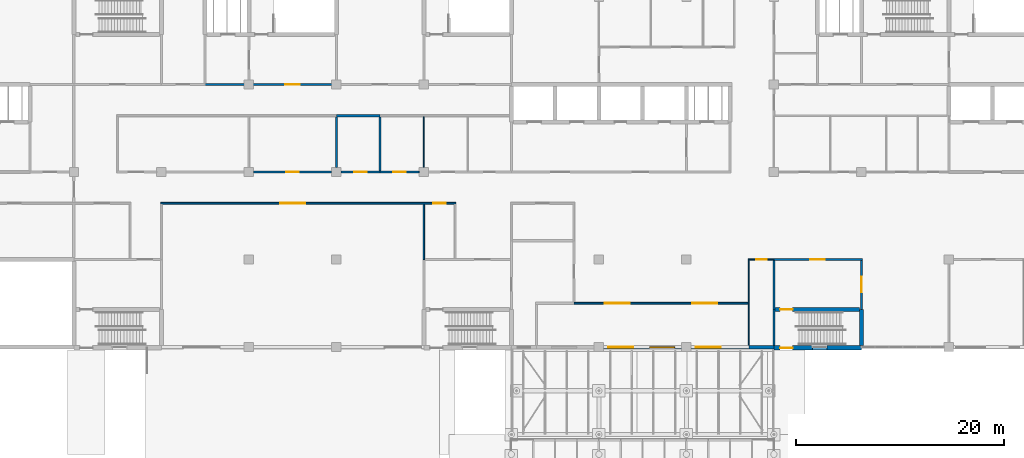
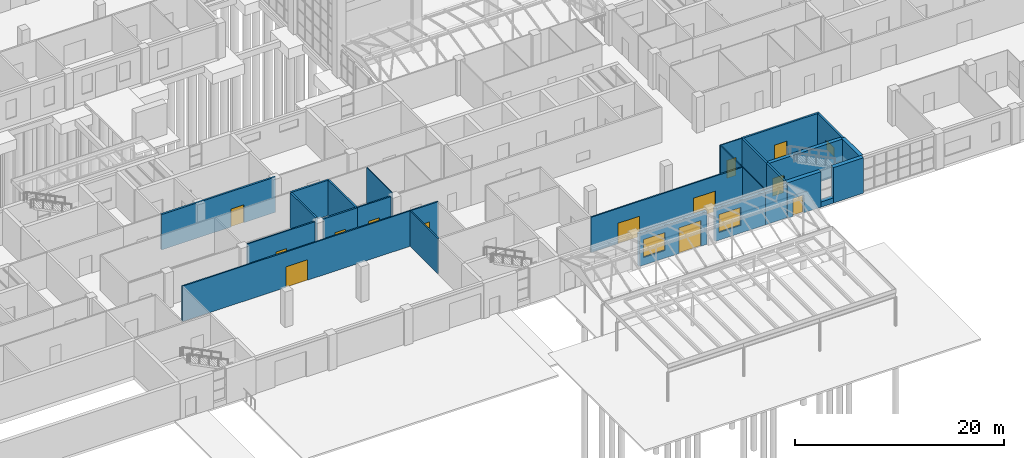
# One storey, part 98 of 138: 25 walls, 13 doors, 3 windows, 16 openings.
"""IFC4 building model written with IfcOpenShell, lengths in metres."""

from ifc_helpers import new_model, si_unit, direction, frame, frame_2d, origin, place, context, subcontext, project, spatial, rectangle, extrude, material, layer, layer_set, type_object, element, fill, save


model = new_model("IFC4")

# Units and contexts
model_context = context("Model", 3, precision=1e-05, world=origin(), true_north=direction((0.0, 1.0)))
body_context = subcontext(model_context, "Body", "Model", "MODEL_VIEW")
ifc_project = project(units=[si_unit("LENGTHUNIT", "METRE"), si_unit("AREAUNIT", "SQUARE_METRE"), si_unit("VOLUMEUNIT", "CUBIC_METRE"), si_unit("PLANEANGLEUNIT", "RADIAN"), si_unit("MASSUNIT", "GRAM", prefix="KILO")], contexts=[model_context])

# Site, building, storey
site_placement = place(None, origin())
site = spatial("IfcSite", under=ifc_project, at=site_placement, CompositionType="ELEMENT")
building_placement = place(site_placement, origin())
building = spatial("IfcBuilding", under=site, at=building_placement, Name="Yavir Park General Hospital", CompositionType="ELEMENT")
storey_placement = place(building_placement, origin())
storey = spatial("IfcBuildingStorey", under=building, at=storey_placement, Name="L00", CompositionType="ELEMENT", Elevation=0.0)

# Wall, opening, door
ifc_material_1 = material(Name="Double gypsum board fire partition on steel studs", Category="steel")
ifc_layer_1 = layer(ifc_material_1, 0.199951171875)
ifc_layer_set_1 = layer_set([ifc_layer_1], Name="Double gypsum board fire partition on steel studs")
wall_type_1 = type_object("IfcWallType", Name="Fire-rated partition 200, EI 60", PredefinedType="PARTITIONING", material=ifc_layer_set_1)
wall_1_placement = place(storey_placement, frame((100.800048828125, 8.39990234375, 0.0), z_axis=(0.0, 0.0, 1.0), x_axis=(1.0, 0.0, 0.0)))
wall_1 = element("IfcWall", 1, at=wall_1_placement, inside=storey, type_object=wall_type_1, Name="FP20 L00-012", PredefinedType="PARTITIONING", context=body_context, shape_type="SweptSolid", body=[
    extrude(rectangle(XDim=8.5, YDim=0.199951171875, at=frame_2d((4.25, 0.0))), origin(), (0.0, 0.0, 1.0), 4.139892578125),
])
opening_1_placement = place(wall_1_placement, frame((3.5, 0.0, 0.0)))
opening_1 = element("IfcOpeningElement", 2, at=opening_1_placement, cuts=wall_1, Name="Opening L00.D011", PredefinedType="OPENING", context=body_context, shape_type="SweptSolid", body=[
    extrude(rectangle(XDim=1.39990234375, YDim=2.10009765625, at=frame_2d((0.699951171875, 1.050048828125))), frame((0.0, 0.10986328125, 0.0), z_axis=(0.0, -1.0, 0.0), x_axis=(1.0, 0.0, 0.0)), (0.0, 0.0, 1.0), 0.219970703125),
])
ifc_material_2 = material(Name="Steel frame, fire-resisting timber leaves", Category="steel")
door_type_1 = type_object("IfcDoorType", Name="Double fire door 1400 x 2100, EI 60", OperationType="DOUBLE_DOOR_SINGLE_SWING", PredefinedType="DOOR", material=ifc_material_2)
door_1_placement = place(opening_1_placement, origin())
door_1 = element("IfcDoor", 3, at=door_1_placement, inside=storey, type_object=door_type_1, Name="L00.D011", OperationType="SINGLE_SWING_LEFT", OverallHeight=2.10009765625, OverallWidth=1.39990234375, PredefinedType="DOOR", context=body_context, shape_type="SweptSolid", body=[
    extrude(rectangle(XDim=1.39990234375, YDim=2.10009765625, at=frame_2d((0.699951171875, 1.050048828125))), frame((0.0, 0.02490234375, 0.0), z_axis=(0.0, -1.0, 0.0), x_axis=(1.0, 0.0, 0.0)), (0.0, 0.0, 1.0), 0.050048828125),
])
fill(opening_1, door_1)

wall_2_placement = place(storey_placement, frame((59.25, 16.800048828125, 0.0), z_axis=(0.0, 0.0, 1.0), x_axis=(1.0, 0.0, 0.0)))
wall_2 = element("IfcWall", 4, at=wall_2_placement, inside=storey, type_object=wall_type_1, Name="FP20 L00-038", PredefinedType="PARTITIONING", context=body_context, shape_type="SweptSolid", body=[
    extrude(rectangle(XDim=3.75, YDim=0.199951171875, at=frame_2d((1.875, 0.0))), origin(), (0.0, 0.0, 1.0), 4.139892578125),
])
opening_2_placement = place(wall_2_placement, frame((1.27490234375, 0.0, 0.0)))
opening_2 = element("IfcOpeningElement", 5, at=opening_2_placement, cuts=wall_2, Name="Opening L00.D033", PredefinedType="OPENING", context=body_context, shape_type="SweptSolid", body=[
    extrude(rectangle(XDim=1.199951171875, YDim=2.10009765625, at=frame_2d((0.60009765625, 1.050048828125))), frame((0.0, 0.10986328125, 0.0), z_axis=(0.0, -1.0, 0.0), x_axis=(1.0, 0.0, 0.0)), (0.0, 0.0, 1.0), 0.219970703125),
])
ifc_material_3 = material(Name="Steel frame, fire-resisting timber leaf", Category="steel")
door_type_2 = type_object("IfcDoorType", Name="Fire door 1200 x 2100, EI 60", OperationType="SINGLE_SWING_LEFT", PredefinedType="DOOR", material=ifc_material_3)
door_2_placement = place(opening_2_placement, origin())
door_2 = element("IfcDoor", 6, at=door_2_placement, inside=storey, type_object=door_type_2, Name="L00.D033", OperationType="SINGLE_SWING_LEFT", OverallHeight=2.10009765625, OverallWidth=1.199951171875, PredefinedType="DOOR", context=body_context, shape_type="SweptSolid", body=[
    extrude(rectangle(XDim=1.199951171875, YDim=2.10009765625, at=frame_2d((0.60009765625, 1.050048828125))), frame((0.0, 0.02490234375, 0.0), z_axis=(0.0, -1.0, 0.0), x_axis=(1.0, 0.0, 0.0)), (0.0, 0.0, 1.0), 0.050048828125),
])
fill(opening_2, door_2)

# Wall
wall_3_placement = place(storey_placement, frame((58.800048828125, 22.199951171875, 0.0), z_axis=(0.0, 0.0, 1.0), x_axis=(1.0, 0.0, 0.0)))
element("IfcWall", 7, at=wall_3_placement, inside=storey, type_object=wall_type_1, Name="FP20 L00-054", PredefinedType="PARTITIONING", context=body_context, shape_type="SweptSolid", body=[
    extrude(rectangle(XDim=4.199951171875, YDim=0.199951171875, at=frame_2d((2.10009765625, 0.0))), origin(), (0.0, 0.0, 1.0), 4.139892578125),
])

# Wall, opening, door
wall_4_placement = place(storey_placement, frame((46.199951171875, 25.199951171875, 0.0), z_axis=(0.0, 0.0, 1.0), x_axis=(1.0, 0.0, 0.0)))
wall_4 = element("IfcWall", 8, at=wall_4_placement, inside=storey, type_object=wall_type_1, Name="FP20 L00-064", PredefinedType="PARTITIONING", context=body_context, shape_type="SweptSolid", body=[
    extrude(rectangle(XDim=12.60009765625, YDim=0.199951171875, at=frame_2d((6.300048828125, 0.0))), origin(), (0.0, 0.0, 1.0), 4.139892578125),
])
opening_3_placement = place(wall_4_placement, frame((7.699951171875, 0.0, 0.0)))
opening_3 = element("IfcOpeningElement", 9, at=opening_3_placement, cuts=wall_4, Name="Opening L00.D060", PredefinedType="OPENING", context=body_context, shape_type="SweptSolid", body=[
    extrude(rectangle(XDim=1.39990234375, YDim=2.10009765625, at=frame_2d((0.699951171875, 1.050048828125))), frame((0.0, 0.10986328125, 0.0), z_axis=(0.0, -1.0, 0.0), x_axis=(1.0, 0.0, 0.0)), (0.0, 0.0, 1.0), 0.219970703125),
])
ifc_material_4 = material(Name="Steel frame, fire-resisting leaves with vision panels", Category="steel")
door_type_3 = type_object("IfcDoorType", Name="Double fire door with vision panels 1400 x 2100, EI 60", OperationType="DOUBLE_DOOR_SINGLE_SWING", PredefinedType="DOOR", material=ifc_material_4)
door_3_placement = place(opening_3_placement, origin())
door_3 = element("IfcDoor", 10, at=door_3_placement, inside=storey, type_object=door_type_3, Name="L00.D060", OperationType="SINGLE_SWING_RIGHT", OverallHeight=2.10009765625, OverallWidth=1.39990234375, PredefinedType="DOOR", context=body_context, shape_type="SweptSolid", body=[
    extrude(rectangle(XDim=1.39990234375, YDim=2.10009765625, at=frame_2d((0.699951171875, 1.050048828125))), frame((0.0, 0.030029296875, 0.0), z_axis=(0.0, -1.0, 0.0), x_axis=(1.0, 0.0, 0.0)), (0.0, 0.0, 1.0), 0.06005859375),
])
fill(opening_3, door_3)

# Walls
wall_5_placement = place(storey_placement, frame((58.800048828125, 17.25, 0.0), z_axis=(0.0, 0.0, 1.0), x_axis=(0.0, 1.0, 0.0)))
element("IfcWall", 11, at=wall_5_placement, inside=storey, type_object=wall_type_1, Name="FP20 L00-375", PredefinedType="PARTITIONING", context=body_context, shape_type="SweptSolid", body=[
    extrude(rectangle(XDim=4.85009765625, YDim=0.199951171875, at=frame_2d((2.425048828125, 0.0))), origin(), (0.0, 0.0, 1.0), 4.139892578125),
])
wall_6_placement = place(storey_placement, frame((63.0, 16.89990234375, 0.0), z_axis=(0.0, 0.0, 1.0), x_axis=(0.0, 1.0, 0.0)))
element("IfcWall", 12, at=wall_6_placement, inside=storey, type_object=wall_type_1, Name="FP20 L00-381", PredefinedType="PARTITIONING", context=body_context, shape_type="SweptSolid", body=[
    extrude(rectangle(XDim=5.2001953125, YDim=0.199951171875, at=frame_2d((2.60009765625, 0.0))), origin(), (0.0, 0.0, 1.0), 4.139892578125),
])
wall_7_placement = place(storey_placement, frame((100.800048828125, 3.60009765625, 0.0), z_axis=(0.0, 0.0, 1.0), x_axis=(0.0, 1.0, 0.0)))
element("IfcWall", 13, at=wall_7_placement, inside=storey, type_object=wall_type_1, Name="FP20 L00-418", PredefinedType="PARTITIONING", context=body_context, shape_type="SweptSolid", body=[
    extrude(rectangle(XDim=4.699951171875, YDim=0.199951171875, at=frame_2d((2.35009765625, 0.0))), origin(), (0.0, 0.0, 1.0), 4.139892578125),
])

# Wall, opening, window
wall_8_placement = place(storey_placement, frame((109.199951171875, 3.60009765625, 0.0), z_axis=(0.0, 0.0, 1.0), x_axis=(0.0, 1.0, 0.0)))
wall_8 = element("IfcWall", 14, at=wall_8_placement, inside=storey, type_object=wall_type_1, Name="FP20 L00-432", PredefinedType="PARTITIONING", context=body_context, shape_type="SweptSolid", body=[
    extrude(rectangle(XDim=4.699951171875, YDim=0.199951171875, at=frame_2d((2.35009765625, 0.0))), origin(), (0.0, 0.0, 1.0), 4.139892578125),
])
opening_4_placement = place(wall_8_placement, frame((1.64990234375, 0.0, 0.89990234375)))
opening_4 = element("IfcOpeningElement", 15, at=opening_4_placement, cuts=wall_8, Name="Opening L00.907", PredefinedType="OPENING", context=body_context, shape_type="SweptSolid", body=[
    extrude(rectangle(XDim=1.5, YDim=1.0, at=frame_2d((0.75, 0.5))), frame((0.0, 0.10986328125, 0.0), z_axis=(0.0, -1.0, 0.0), x_axis=(1.0, 0.0, 0.0)), (0.0, 0.0, 1.0), 0.219970703125),
])
ifc_material_5 = material(Name="Toughened glass sliding panels, aluminium frame", Category="aluminium")
window_type_1 = type_object("IfcWindowType", Name="Reception counter window 1500 x 1000", PartitioningType="DOUBLE_PANEL_HORIZONTAL", PredefinedType="WINDOW", material=ifc_material_5)
window_1_placement = place(opening_4_placement, origin())
window_1 = element("IfcWindow", 16, at=window_1_placement, inside=storey, type_object=window_type_1, Name="L00.907", OverallHeight=1.0, OverallWidth=1.5, PartitioningType="DOUBLE_PANEL_HORIZONTAL", PredefinedType="WINDOW", context=body_context, shape_type="SweptSolid", body=[
    extrude(rectangle(XDim=1.5, YDim=1.0, at=frame_2d((0.75, 0.5))), frame((0.0, 0.02490234375, 0.0), z_axis=(0.0, -1.0, 0.0), x_axis=(1.0, 0.0, 0.0)), (0.0, 0.0, 1.0), 0.050048828125),
])
fill(opening_4, window_1)

# Wall
ifc_material_6 = material(Name="Double gypsum board fire partition on steel studs", Category="steel")
ifc_layer_2 = layer(ifc_material_6, 0.199951171875)
ifc_layer_set_2 = layer_set([ifc_layer_2], Name="Double gypsum board fire partition on steel studs")
wall_type_2 = type_object("IfcWallType", Name="Fire-rated partition 200, REI 150", PredefinedType="PARTITIONING", material=ifc_layer_set_2)
wall_9_placement = place(storey_placement, frame((100.800048828125, 0.14990234375, 0.0), z_axis=(0.0, 0.0, 1.0), x_axis=(0.0, 1.0, 0.0)))
element("IfcWall", 17, at=wall_9_placement, inside=storey, type_object=wall_type_2, Name="FP20 L00-417", PredefinedType="PARTITIONING", context=body_context, shape_type="SweptSolid", body=[
    extrude(rectangle(XDim=3.4501953125, YDim=0.199951171875, at=frame_2d((1.72509765625, 0.0))), origin(), (0.0, 0.0, 1.0), 4.139892578125),
])

# Wall, opening, door
ifc_material_7 = material(Name="Gypsum board partition on steel studs", Category="steel")
ifc_layer_3 = layer(ifc_material_7, 0.10009765625)
ifc_layer_set_3 = layer_set([ifc_layer_3], Name="Gypsum board partition on steel studs")
wall_type_3 = type_object("IfcWallType", Name="Gypsum board partition 100", PredefinedType="PARTITIONING", material=ifc_layer_set_3)
wall_10_placement = place(storey_placement, frame((98.35009765625, 8.39990234375, 0.0), z_axis=(0.0, 0.0, 1.0), x_axis=(1.0, 0.0, 0.0)))
wall_10 = element("IfcWall", 18, at=wall_10_placement, inside=storey, type_object=wall_type_3, Name="P10 L00-011", PredefinedType="PARTITIONING", context=body_context, shape_type="SweptSolid", body=[
    extrude(rectangle(XDim=2.449951171875, YDim=0.10009765625, at=frame_2d((1.22509765625, 0.0))), origin(), (0.0, 0.0, 1.0), 4.139892578125),
])
opening_5_placement = place(wall_10_placement, frame((0.75, 0.0, 0.0)))
opening_5 = element("IfcOpeningElement", 19, at=opening_5_placement, cuts=wall_10, Name="Opening L00.D010", PredefinedType="OPENING", context=body_context, shape_type="SweptSolid", body=[
    extrude(rectangle(XDim=1.0, YDim=2.10009765625, at=frame_2d((0.5, 1.050048828125))), frame((0.0, 0.06005859375, 0.0), z_axis=(0.0, -1.0, 0.0), x_axis=(1.0, 0.0, 0.0)), (0.0, 0.0, 1.0), 0.1201171875),
])
ifc_material_8 = material(Name="Hollow metal frame, solid-core timber leaf", Category="wood")
door_type_4 = type_object("IfcDoorType", Name="Single swing door 1000 x 2100", OperationType="SINGLE_SWING_LEFT", PredefinedType="DOOR", material=ifc_material_8)
door_4_placement = place(opening_5_placement, origin())
door_4 = element("IfcDoor", 20, at=door_4_placement, inside=storey, type_object=door_type_4, Name="L00.D010", OperationType="SINGLE_SWING_LEFT", OverallHeight=2.10009765625, OverallWidth=1.0, PredefinedType="DOOR", context=body_context, shape_type="SweptSolid", body=[
    extrude(rectangle(XDim=1.0, YDim=2.10009765625, at=frame_2d((0.5, 1.050048828125))), frame((0.0, 0.02490234375, 0.0), z_axis=(0.0, -1.0, 0.0), x_axis=(1.0, 0.0, 0.0)), (0.0, 0.0, 1.0), 0.050048828125),
])
fill(opening_5, door_4)

# Walls
wall_11_placement = place(storey_placement, frame((67.199951171875, 17.25, 0.0), z_axis=(0.0, 0.0, 1.0), x_axis=(0.0, 1.0, 0.0)))
element("IfcWall", 21, at=wall_11_placement, inside=storey, type_object=wall_type_3, Name="P10 L00-386", PredefinedType="PARTITIONING", context=body_context, shape_type="SweptSolid", body=[
    extrude(rectangle(XDim=4.875, YDim=0.10009765625, at=frame_2d((2.4375, 0.0))), origin(), (0.0, 0.0, 1.0), 4.139892578125),
])
wall_12_placement = place(storey_placement, frame((98.39990234375, 0.14990234375, 0.0), z_axis=(0.0, 0.0, 1.0), x_axis=(0.0, 1.0, 0.0)))
element("IfcWall", 22, at=wall_12_placement, inside=storey, type_object=wall_type_3, Name="P10 L00-416", PredefinedType="PARTITIONING", context=body_context, shape_type="SweptSolid", body=[
    extrude(rectangle(XDim=8.2001953125, YDim=0.10009765625, at=frame_2d((4.10009765625, 0.0))), origin(), (0.0, 0.0, 1.0), 4.139892578125),
])

# Wall, openings, doors
ifc_material_9 = material(Name="Gypsum board partition on steel studs", Category="steel")
ifc_layer_4 = layer(ifc_material_9, 0.14990234375)
ifc_layer_set_4 = layer_set([ifc_layer_4], Name="Gypsum board partition on steel studs")
wall_type_4 = type_object("IfcWallType", Name="Gypsum board partition 150", PredefinedType="PARTITIONING", material=ifc_layer_set_4)
wall_13_placement = place(storey_placement, frame((81.60009765625, 4.199951171875, 0.0), z_axis=(0.0, 0.0, 1.0), x_axis=(1.0, 0.0, 0.0)))
wall_13 = element("IfcWall", 23, at=wall_13_placement, inside=storey, type_object=wall_type_4, Name="P15 L00-006", PredefinedType="PARTITIONING", context=body_context, shape_type="SweptSolid", body=[
    extrude(rectangle(XDim=16.75, YDim=0.14990234375, at=frame_2d((8.375, 0.0))), origin(), (0.0, 0.0, 1.0), 4.139892578125),
])
opening_6_placement = place(wall_13_placement, frame((2.987548828125, 0.0, 0.0)))
opening_6 = element("IfcOpeningElement", 24, at=opening_6_placement, cuts=wall_13, Name="Opening L00.D005", PredefinedType="OPENING", context=body_context, shape_type="SweptSolid", body=[
    extrude(rectangle(XDim=2.39990234375, YDim=2.39990234375, at=frame_2d((1.199951171875, 1.199951171875))), frame((0.0, 0.0849609375, 0.0), z_axis=(0.0, -1.0, 0.0), x_axis=(1.0, 0.0, 0.0)), (0.0, 0.0, 1.0), 0.169921875),
])
opening_7_placement = place(wall_13_placement, frame((11.362548828125, 0.0, 0.0)))
opening_7 = element("IfcOpeningElement", 25, at=opening_7_placement, cuts=wall_13, Name="Opening L00.D006", PredefinedType="OPENING", context=body_context, shape_type="SweptSolid", body=[
    extrude(rectangle(XDim=2.39990234375, YDim=2.39990234375, at=frame_2d((1.199951171875, 1.199951171875))), frame((0.0, 0.0849609375, 0.0), z_axis=(0.0, -1.0, 0.0), x_axis=(1.0, 0.0, 0.0)), (0.0, 0.0, 1.0), 0.169921875),
])
ifc_material_10 = material(Name="Aluminium frame, toughened glass leaves", Category="aluminium")
door_type_5 = type_object("IfcDoorType", Name="Double sliding door 2400 x 2400", OperationType="DOUBLE_DOOR_SLIDING", PredefinedType="DOOR", material=ifc_material_10)
door_5_placement = place(opening_6_placement, origin())
door_5 = element("IfcDoor", 26, at=door_5_placement, inside=storey, type_object=door_type_5, Name="L00.D005", OperationType="DOUBLE_DOOR_SLIDING", OverallHeight=2.39990234375, OverallWidth=2.39990234375, PredefinedType="DOOR", context=body_context, shape_type="SweptSolid", body=[
    extrude(rectangle(XDim=2.39990234375, YDim=2.39990234375, at=frame_2d((1.199951171875, 1.199951171875))), frame((0.0, 0.02490234375, 0.0), z_axis=(0.0, -1.0, 0.0), x_axis=(1.0, 0.0, 0.0)), (0.0, 0.0, 1.0), 0.050048828125),
])
fill(opening_6, door_5)
door_6_placement = place(opening_7_placement, origin())
door_6 = element("IfcDoor", 27, at=door_6_placement, inside=storey, type_object=door_type_5, Name="L00.D006", OperationType="DOUBLE_DOOR_SLIDING", OverallHeight=2.39990234375, OverallWidth=2.39990234375, PredefinedType="DOOR", context=body_context, shape_type="SweptSolid", body=[
    extrude(rectangle(XDim=2.39990234375, YDim=2.39990234375, at=frame_2d((1.199951171875, 1.199951171875))), frame((0.0, 0.02490234375, 0.0), z_axis=(0.0, -1.0, 0.0), x_axis=(1.0, 0.0, 0.0)), (0.0, 0.0, 1.0), 0.050048828125),
])
fill(opening_7, door_6)

wall_14_placement = place(storey_placement, frame((41.925048828125, 13.800048828125, 0.0), z_axis=(0.0, 0.0, 1.0), x_axis=(1.0, 0.0, 0.0)))
wall_14 = element("IfcWall", 28, at=wall_14_placement, inside=storey, type_object=wall_type_4, Name="P15 L00-028", PredefinedType="PARTITIONING", context=body_context, shape_type="SweptSolid", body=[
    extrude(rectangle(XDim=28.349853515625, YDim=0.14990234375, at=frame_2d((14.1748046875, 0.0))), origin(), (0.0, 0.0, 1.0), 4.139892578125),
])
opening_8_placement = place(wall_14_placement, frame((11.47509765625, 0.0, 0.0)))
opening_8 = element("IfcOpeningElement", 29, at=opening_8_placement, cuts=wall_14, Name="Opening L00.D026", PredefinedType="OPENING", context=body_context, shape_type="SweptSolid", body=[
    extrude(rectangle(XDim=2.39990234375, YDim=2.39990234375, at=frame_2d((1.199951171875, 1.199951171875))), frame((0.0, 0.0849609375, 0.0), z_axis=(0.0, -1.0, 0.0), x_axis=(1.0, 0.0, 0.0)), (0.0, 0.0, 1.0), 0.169921875),
])
opening_9_placement = place(wall_14_placement, frame((26.175048828125, 0.0, 0.0)))
opening_9 = element("IfcOpeningElement", 30, at=opening_9_placement, cuts=wall_14, Name="Opening L00.D027", PredefinedType="OPENING", context=body_context, shape_type="SweptSolid", body=[
    extrude(rectangle(XDim=1.199951171875, YDim=2.10009765625, at=frame_2d((0.60009765625, 1.050048828125))), frame((0.0, 0.0849609375, 0.0), z_axis=(0.0, -1.0, 0.0), x_axis=(1.0, 0.0, 0.0)), (0.0, 0.0, 1.0), 0.169921875),
])
ifc_material_11 = material(Name="Hollow metal frame, solid-core timber leaf", Category="wood")
door_type_6 = type_object("IfcDoorType", Name="Double swing door 2400 x 2400", OperationType="DOUBLE_DOOR_SINGLE_SWING", PredefinedType="DOOR", material=ifc_material_11)
door_7_placement = place(opening_8_placement, origin())
door_7 = element("IfcDoor", 31, at=door_7_placement, inside=storey, type_object=door_type_6, Name="L00.D026", OperationType="SINGLE_SWING_LEFT", OverallHeight=2.39990234375, OverallWidth=2.39990234375, PredefinedType="DOOR", context=body_context, shape_type="SweptSolid", body=[
    extrude(rectangle(XDim=2.39990234375, YDim=2.39990234375, at=frame_2d((1.199951171875, 1.199951171875))), frame((0.0, 0.02490234375, 0.0), z_axis=(0.0, -1.0, 0.0), x_axis=(1.0, 0.0, 0.0)), (0.0, 0.0, 1.0), 0.050048828125),
])
fill(opening_8, door_7)
ifc_material_12 = material(Name="Hollow metal frame, solid-core timber leaf", Category="wood")
door_type_7 = type_object("IfcDoorType", Name="Single swing door 1200 x 2100", OperationType="SINGLE_SWING_LEFT", PredefinedType="DOOR", material=ifc_material_12)
door_8_placement = place(opening_9_placement, origin())
door_8 = element("IfcDoor", 32, at=door_8_placement, inside=storey, type_object=door_type_7, Name="L00.D027", OperationType="SINGLE_SWING_LEFT", OverallHeight=2.10009765625, OverallWidth=1.199951171875, PredefinedType="DOOR", context=body_context, shape_type="SweptSolid", body=[
    extrude(rectangle(XDim=1.199951171875, YDim=2.10009765625, at=frame_2d((0.60009765625, 1.050048828125))), frame((0.0, 0.02490234375, 0.0), z_axis=(0.0, -1.0, 0.0), x_axis=(1.0, 0.0, 0.0)), (0.0, 0.0, 1.0), 0.050048828125),
])
fill(opening_9, door_8)

# Wall, opening, door
wall_15_placement = place(storey_placement, frame((50.85009765625, 16.800048828125, 0.0), z_axis=(0.0, 0.0, 1.0), x_axis=(1.0, 0.0, 0.0)))
wall_15 = element("IfcWall", 33, at=wall_15_placement, inside=storey, type_object=wall_type_4, Name="P15 L00-037", PredefinedType="PARTITIONING", context=body_context, shape_type="SweptSolid", body=[
    extrude(rectangle(XDim=7.5, YDim=0.14990234375, at=frame_2d((3.75, 0.0))), origin(), (0.0, 0.0, 1.0), 4.139892578125),
])
opening_10_placement = place(wall_15_placement, frame((3.14990234375, 0.0, 0.0)))
opening_10 = element("IfcOpeningElement", 34, at=opening_10_placement, cuts=wall_15, Name="Opening L00.D032", PredefinedType="OPENING", context=body_context, shape_type="SweptSolid", body=[
    extrude(rectangle(XDim=1.199951171875, YDim=2.10009765625, at=frame_2d((0.60009765625, 1.050048828125))), frame((0.0, 0.0849609375, 0.0), z_axis=(0.0, -1.0, 0.0), x_axis=(1.0, 0.0, 0.0)), (0.0, 0.0, 1.0), 0.169921875),
])
door_9_placement = place(opening_10_placement, origin())
door_9 = element("IfcDoor", 35, at=door_9_placement, inside=storey, type_object=door_type_7, Name="L00.D032", OperationType="SINGLE_SWING_RIGHT", OverallHeight=2.10009765625, OverallWidth=1.199951171875, PredefinedType="DOOR", context=body_context, shape_type="SweptSolid", body=[
    extrude(rectangle(XDim=1.199951171875, YDim=2.10009765625, at=frame_2d((0.60009765625, 1.050048828125))), frame((0.0, 0.02490234375, 0.0), z_axis=(0.0, -1.0, 0.0), x_axis=(1.0, 0.0, 0.0)), (0.0, 0.0, 1.0), 0.050048828125),
])
fill(opening_10, door_9)

wall_16_placement = place(storey_placement, frame((63.0, 16.800048828125, 0.0), z_axis=(0.0, 0.0, 1.0), x_axis=(1.0, 0.0, 0.0)))
wall_16 = element("IfcWall", 36, at=wall_16_placement, inside=storey, type_object=wall_type_4, Name="P15 L00-039", PredefinedType="PARTITIONING", context=body_context, shape_type="SweptSolid", body=[
    extrude(rectangle(XDim=3.75, YDim=0.14990234375, at=frame_2d((1.875, 0.0))), origin(), (0.0, 0.0, 1.0), 4.139892578125),
])
opening_11_placement = place(wall_16_placement, frame((1.27490234375, 0.0, 0.0)))
opening_11 = element("IfcOpeningElement", 37, at=opening_11_placement, cuts=wall_16, Name="Opening L00.D034", PredefinedType="OPENING", context=body_context, shape_type="SweptSolid", body=[
    extrude(rectangle(XDim=1.199951171875, YDim=2.10009765625, at=frame_2d((0.60009765625, 1.050048828125))), frame((0.0, 0.0849609375, 0.0), z_axis=(0.0, -1.0, 0.0), x_axis=(1.0, 0.0, 0.0)), (0.0, 0.0, 1.0), 0.169921875),
])
door_10_placement = place(opening_11_placement, origin())
door_10 = element("IfcDoor", 38, at=door_10_placement, inside=storey, type_object=door_type_7, Name="L00.D034", OperationType="SINGLE_SWING_RIGHT", OverallHeight=2.10009765625, OverallWidth=1.199951171875, PredefinedType="DOOR", context=body_context, shape_type="SweptSolid", body=[
    extrude(rectangle(XDim=1.199951171875, YDim=2.10009765625, at=frame_2d((0.60009765625, 1.050048828125))), frame((0.0, 0.02490234375, 0.0), z_axis=(0.0, -1.0, 0.0), x_axis=(1.0, 0.0, 0.0)), (0.0, 0.0, 1.0), 0.050048828125),
])
fill(opening_11, door_10)

# Wall
wall_17_placement = place(storey_placement, frame((67.199951171875, 8.39990234375, 0.0), z_axis=(0.0, 0.0, 1.0), x_axis=(0.0, 1.0, 0.0)))
element("IfcWall", 39, at=wall_17_placement, inside=storey, type_object=wall_type_4, Name="P15 L00-385", PredefinedType="PARTITIONING", context=body_context, shape_type="SweptSolid", body=[
    extrude(rectangle(XDim=5.3251953125, YDim=0.14990234375, at=frame_2d((2.66259765625, 0.0))), origin(), (0.0, 0.0, 1.0), 4.139892578125),
])

# Wall, openings, door, window
ifc_material_13 = material(Name="Concrete C30/37 precast panel with 120 mm mineral wool insulation", Category="concrete")
ifc_layer_5 = layer(ifc_material_13, 0.35009765625)
ifc_layer_set_5 = layer_set([ifc_layer_5], Name="Concrete C30/37 precast panel with 120 mm mineral wool insulation")
wall_type_5 = type_object("IfcWallType", Name="Precast cladding panel podium wall 350, E 30", PredefinedType="SOLIDWALL", material=ifc_layer_set_5)
wall_18_placement = place(storey_placement, frame((84.449951171875, -0.02490234375, 0.0), z_axis=(0.0, 0.0, 1.0), x_axis=(1.0, 0.0, 0.0)))
wall_18 = element("IfcWall", 40, at=wall_18_placement, inside=storey, type_object=wall_type_5, Name="XW2 L00-012", PredefinedType="SOLIDWALL", context=body_context, shape_type="SweptSolid", body=[
    extrude(rectangle(XDim=7.5, YDim=0.35009765625, at=frame_2d((3.75, 0.0))), origin(), (0.0, 0.0, 1.0), 3.840087890625),
])
opening_12_placement = place(wall_18_placement, frame((0.449951171875, 0.0, 0.89990234375)))
opening_12 = element("IfcOpeningElement", 41, at=opening_12_placement, cuts=wall_18, Name="Opening WF2", PredefinedType="OPENING", context=body_context, shape_type="SweptSolid", body=[
    extrude(rectangle(XDim=2.39990234375, YDim=2.10009765625, at=frame_2d((1.199951171875, 1.050048828125))), frame((0.0, 0.18505859375, 0.0), z_axis=(0.0, -1.0, 0.0), x_axis=(1.0, 0.0, 0.0)), (0.0, 0.0, 1.0), 0.3701171875),
])
opening_13_placement = place(wall_18_placement, frame((4.425048828125, 0.0, 0.0)))
opening_13 = element("IfcOpeningElement", 42, at=opening_13_placement, cuts=wall_18, Name="Opening L00.X07", PredefinedType="OPENING", context=body_context, shape_type="SweptSolid", body=[
    extrude(rectangle(XDim=2.39990234375, YDim=3.0, at=frame_2d((1.199951171875, 1.5))), frame((0.0, 0.18505859375, 0.0), z_axis=(0.0, -1.0, 0.0), x_axis=(1.0, 0.0, 0.0)), (0.0, 0.0, 1.0), 0.3701171875),
])
ifc_material_14 = material(Name="Aluminium frame, toughened glass leaves", Category="aluminium")
door_type_8 = type_object("IfcDoorType", Name="Automatic entrance sliding door 2400 x 3000", OperationType="DOUBLE_DOOR_SLIDING", PredefinedType="DOOR", material=ifc_material_14)
door_11_placement = place(opening_13_placement, frame((2.39990234375, 0.0, 0.0), x_axis=(-1.0, 0.0, 0.0)))
door_11 = element("IfcDoor", 43, at=door_11_placement, inside=storey, type_object=door_type_8, Name="L00.X07", OperationType="DOUBLE_DOOR_SLIDING", OverallHeight=3.0, OverallWidth=2.39990234375, PredefinedType="DOOR", context=body_context, shape_type="SweptSolid", body=[
    extrude(rectangle(XDim=2.39990234375, YDim=3.0, at=frame_2d((1.199951171875, 1.5))), frame((0.0, 0.06005859375, 0.0), z_axis=(0.0, -1.0, 0.0), x_axis=(1.0, 0.0, 0.0)), (0.0, 0.0, 1.0), 0.1201171875),
])
fill(opening_13, door_11)
ifc_material_15 = material(Name="Aluminium frame, double glazed unit", Category="aluminium")
window_type_2 = type_object("IfcWindowType", Name="Tall corridor end window 2400 x 2100", PartitioningType="DOUBLE_PANEL_VERTICAL", PredefinedType="WINDOW", material=ifc_material_15)
window_2_placement = place(opening_12_placement, origin())
window_2 = element("IfcWindow", 44, at=window_2_placement, inside=storey, type_object=window_type_2, Name="WF2 L00-001", OverallHeight=2.10009765625, OverallWidth=2.39990234375, PartitioningType="DOUBLE_PANEL_VERTICAL", PredefinedType="WINDOW", context=body_context, shape_type="SweptSolid", body=[
    extrude(rectangle(XDim=2.39990234375, YDim=2.10009765625, at=frame_2d((1.199951171875, 1.050048828125))), frame((0.0, 0.030029296875, 0.0), z_axis=(0.0, -1.0, 0.0), x_axis=(1.0, 0.0, 0.0)), (0.0, 0.0, 1.0), 0.06005859375),
])
fill(opening_12, window_2)

# Wall, opening, window
wall_19_placement = place(storey_placement, frame((92.85009765625, -0.02490234375, 0.0), z_axis=(0.0, 0.0, 1.0), x_axis=(1.0, 0.0, 0.0)))
wall_19 = element("IfcWall", 45, at=wall_19_placement, inside=storey, type_object=wall_type_5, Name="XW2 L00-013", PredefinedType="SOLIDWALL", context=body_context, shape_type="SweptSolid", body=[
    extrude(rectangle(XDim=5.5498046875, YDim=0.35009765625, at=frame_2d((2.77490234375, 0.0))), origin(), (0.0, 0.0, 1.0), 3.840087890625),
])
opening_14_placement = place(wall_19_placement, frame((0.449951171875, 0.0, 0.89990234375)))
opening_14 = element("IfcOpeningElement", 46, at=opening_14_placement, cuts=wall_19, Name="Opening WF2", PredefinedType="OPENING", context=body_context, shape_type="SweptSolid", body=[
    extrude(rectangle(XDim=2.39990234375, YDim=2.10009765625, at=frame_2d((1.199951171875, 1.050048828125))), frame((0.0, 0.18505859375, 0.0), z_axis=(0.0, -1.0, 0.0), x_axis=(1.0, 0.0, 0.0)), (0.0, 0.0, 1.0), 0.3701171875),
])
window_3_placement = place(opening_14_placement, origin())
window_3 = element("IfcWindow", 47, at=window_3_placement, inside=storey, type_object=window_type_2, Name="WF2 L00-002", OverallHeight=2.10009765625, OverallWidth=2.39990234375, PartitioningType="DOUBLE_PANEL_VERTICAL", PredefinedType="WINDOW", context=body_context, shape_type="SweptSolid", body=[
    extrude(rectangle(XDim=2.39990234375, YDim=2.10009765625, at=frame_2d((1.199951171875, 1.050048828125))), frame((0.0, 0.030029296875, 0.0), z_axis=(0.0, -1.0, 0.0), x_axis=(1.0, 0.0, 0.0)), (0.0, 0.0, 1.0), 0.06005859375),
])
fill(opening_14, window_3)

# Wall
wall_20_placement = place(storey_placement, frame((98.39990234375, -0.02490234375, 0.0), z_axis=(0.0, 0.0, 1.0), x_axis=(1.0, 0.0, 0.0)))
element("IfcWall", 48, at=wall_20_placement, inside=storey, type_object=wall_type_5, Name="XW2 L00-014", PredefinedType="SOLIDWALL", context=body_context, shape_type="SweptSolid", body=[
    extrude(rectangle(XDim=2.400146484375, YDim=0.35009765625, at=frame_2d((1.2001953125, 0.0))), origin(), (0.0, 0.0, 1.0), 3.840087890625),
])

# Wall, opening, door
ifc_material_16 = material(Name="Concrete C35/45", Category="concrete")
ifc_layer_6 = layer(ifc_material_16, 0.39990234375)
ifc_layer_set_6 = layer_set([ifc_layer_6], Name="Concrete C35/45")
wall_type_6 = type_object("IfcWallType", Name="Reinforced concrete core wall 400, REI 150", PredefinedType="SHEAR", material=ifc_layer_set_6)
wall_21_placement = place(storey_placement, frame((100.89990234375, 3.60009765625, 0.0), z_axis=(0.0, 0.0, 1.0), x_axis=(1.0, 0.0, 0.0)))
wall_21 = element("IfcWall", 49, at=wall_21_placement, inside=storey, type_object=wall_type_6, Name="CW40 L00-003", PredefinedType="SHEAR", context=body_context, shape_type="SweptSolid", body=[
    extrude(rectangle(XDim=8.10009765625, YDim=0.39990234375, at=frame_2d((4.050048828125, 0.0))), origin(), (0.0, 0.0, 1.0), 4.139892578125),
])
opening_15_placement = place(wall_21_placement, frame((0.5, 0.0, 0.0)))
opening_15 = element("IfcOpeningElement", 50, at=opening_15_placement, cuts=wall_21, Name="Opening L00.D003", PredefinedType="OPENING", context=body_context, shape_type="SweptSolid", body=[
    extrude(rectangle(XDim=1.199951171875, YDim=2.10009765625, at=frame_2d((0.60009765625, 1.050048828125))), frame((0.0, 0.2099609375, 0.0), z_axis=(0.0, -1.0, 0.0), x_axis=(1.0, 0.0, 0.0)), (0.0, 0.0, 1.0), 0.419921875),
])
door_12_placement = place(opening_15_placement, origin())
door_12 = element("IfcDoor", 51, at=door_12_placement, inside=storey, type_object=door_type_2, Name="L00.D003", OperationType="SINGLE_SWING_RIGHT", OverallHeight=2.10009765625, OverallWidth=1.199951171875, PredefinedType="DOOR", context=body_context, shape_type="SweptSolid", body=[
    extrude(rectangle(XDim=1.199951171875, YDim=2.10009765625, at=frame_2d((0.60009765625, 1.050048828125))), frame((0.0, 0.02490234375, 0.0), z_axis=(0.0, -1.0, 0.0), x_axis=(1.0, 0.0, 0.0)), (0.0, 0.0, 1.0), 0.050048828125),
])
fill(opening_15, door_12)

# Wall
wall_22_placement = place(storey_placement, frame((109.199951171875, 0.14990234375, 0.0), z_axis=(0.0, 0.0, 1.0), x_axis=(0.0, 1.0, 0.0)))
element("IfcWall", 52, at=wall_22_placement, inside=storey, type_object=wall_type_6, Name="CW40 L00-431", PredefinedType="SHEAR", context=body_context, shape_type="SweptSolid", body=[
    extrude(rectangle(XDim=3.4501953125, YDim=0.39990234375, at=frame_2d((1.72509765625, 0.0))), origin(), (0.0, 0.0, 1.0), 4.139892578125),
])

# Wall, opening, door
ifc_material_17 = material(Name="Concrete C30/37 precast panel with 150 mm mineral wool insulation", Category="concrete")
ifc_layer_7 = layer(ifc_material_17, 0.449951171875)
ifc_layer_set_7 = layer_set([ifc_layer_7], Name="Concrete C30/37 precast panel with 150 mm mineral wool insulation")
wall_type_7 = type_object("IfcWallType", Name="Stair enclosure wall 450, REI 150", PredefinedType="SOLIDWALL", material=ifc_layer_set_7)
wall_23_placement = place(storey_placement, frame((100.800048828125, -0.074951171875, 0.0), z_axis=(0.0, 0.0, 1.0), x_axis=(1.0, 0.0, 0.0)))
wall_23 = element("IfcWall", 53, at=wall_23_placement, inside=storey, type_object=wall_type_7, Name="XW6 L00-015", PredefinedType="SOLIDWALL", context=body_context, shape_type="SweptSolid", body=[
    extrude(rectangle(XDim=3.699951171875, YDim=0.449951171875, at=frame_2d((1.85009765625, 0.0))), origin(), (0.0, 0.0, 1.0), 4.139892578125),
])
opening_16_placement = place(wall_23_placement, frame((0.60009765625, 0.0, 0.0)))
opening_16 = element("IfcOpeningElement", 54, at=opening_16_placement, cuts=wall_23, Name="Opening L00.X08", PredefinedType="OPENING", context=body_context, shape_type="SweptSolid", body=[
    extrude(rectangle(XDim=1.199951171875, YDim=2.10009765625, at=frame_2d((0.60009765625, 1.050048828125))), frame((0.0, 0.23486328125, 0.0), z_axis=(0.0, -1.0, 0.0), x_axis=(1.0, 0.0, 0.0)), (0.0, 0.0, 1.0), 0.469970703125),
])
door_13_placement = place(opening_16_placement, frame((1.199951171875, 0.0, 0.0), x_axis=(-1.0, 0.0, 0.0)))
door_13 = element("IfcDoor", 55, at=door_13_placement, inside=storey, type_object=door_type_7, Name="L00.X08", OperationType="SINGLE_SWING_LEFT", OverallHeight=2.10009765625, OverallWidth=1.199951171875, PredefinedType="DOOR", context=body_context, shape_type="SweptSolid", body=[
    extrude(rectangle(XDim=1.199951171875, YDim=2.10009765625, at=frame_2d((0.60009765625, 1.050048828125))), frame((0.0, 0.02490234375, 0.0), z_axis=(0.0, -1.0, 0.0), x_axis=(1.0, 0.0, 0.0)), (0.0, 0.0, 1.0), 0.050048828125),
])
fill(opening_16, door_13)

# Walls
wall_24_placement = place(storey_placement, frame((105.89990234375, -0.074951171875, 0.0), z_axis=(0.0, 0.0, 1.0), x_axis=(1.0, 0.0, 0.0)))
element("IfcWall", 56, at=wall_24_placement, inside=storey, type_object=wall_type_7, Name="XW6 L00-016", PredefinedType="SOLIDWALL", context=body_context, shape_type="SweptSolid", body=[
    extrude(rectangle(XDim=3.300048828125, YDim=0.449951171875, at=frame_2d((1.64990234375, 0.0))), origin(), (0.0, 0.0, 1.0), 4.139892578125),
])
wall_25_placement = place(storey_placement, frame((104.5, -0.074951171875, 0.0), z_axis=(0.0, 0.0, 1.0), x_axis=(1.0, 0.0, 0.0)))
element("IfcWall", 57, at=wall_25_placement, inside=storey, type_object=wall_type_7, Name="XW6 L00-017", PredefinedType="SOLIDWALL", context=body_context, shape_type="SweptSolid", body=[
    extrude(rectangle(XDim=1.39990234375, YDim=0.449951171875, at=frame_2d((0.699951171875, 0.0))), origin(), (0.0, 0.0, 1.0), 0.60009765625),
])

save(model, "model.ifc")
